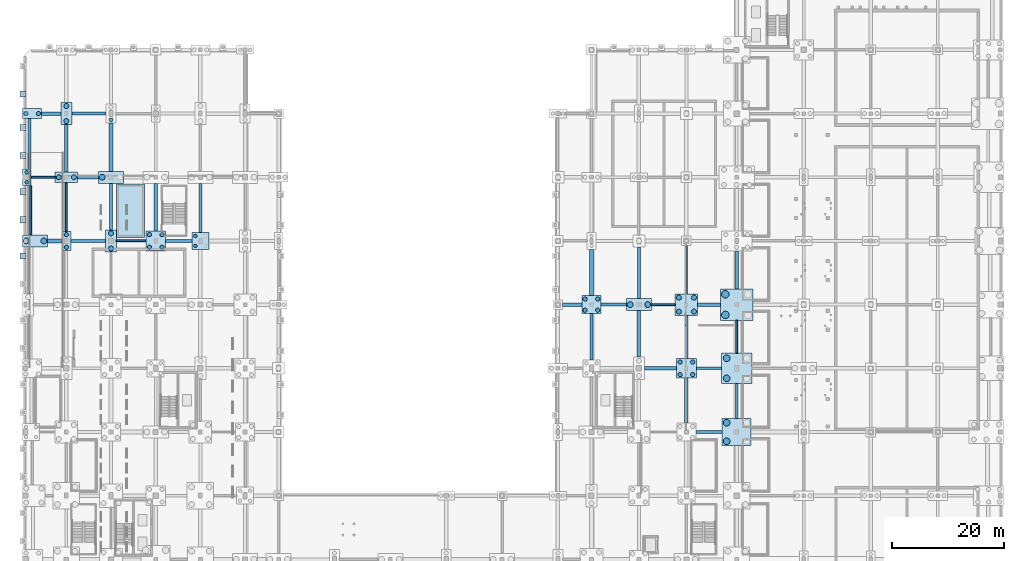
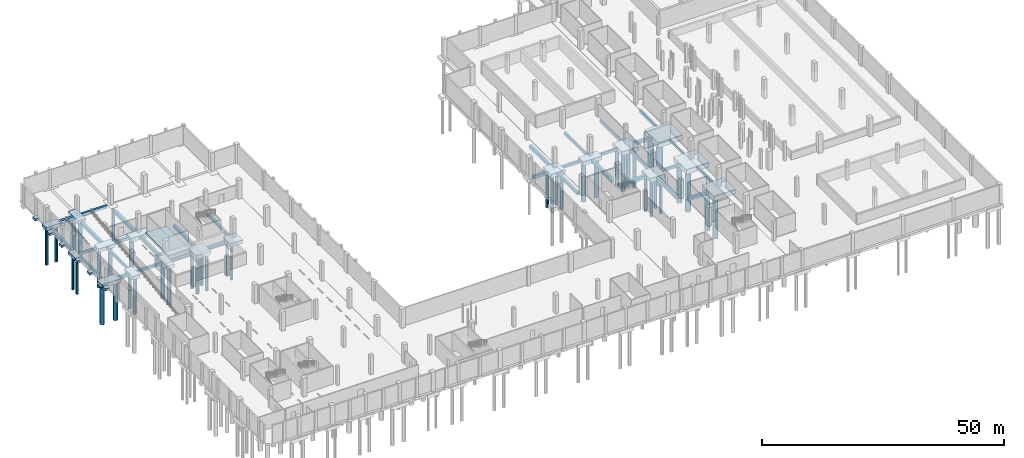
# One storey, part 5 of 34: 57 footings, 42 piles.
"""IFC4 building model written with IfcOpenShell, lengths in metres."""

from ifc_helpers import new_model, si_unit, direction, frame, origin, origin_2d, place, context, subcontext, project, spatial, rectangle, circle, extrude, material, material_profile, profile_set, type_object, element, save


model = new_model("IFC4")

# Units and contexts
model_context = context("Model", 3, precision=1e-05, world=origin(), true_north=direction((0.0, 1.0)))
body_context = subcontext(model_context, "Body", "Model", "MODEL_VIEW")
ifc_project = project(units=[si_unit("LENGTHUNIT", "METRE"), si_unit("AREAUNIT", "SQUARE_METRE"), si_unit("VOLUMEUNIT", "CUBIC_METRE"), si_unit("PLANEANGLEUNIT", "RADIAN"), si_unit("MASSUNIT", "GRAM", prefix="KILO"), si_unit("POWERUNIT", "WATT"), si_unit("THERMODYNAMICTEMPERATUREUNIT", "KELVIN")], contexts=[model_context])

# Site, building, storey
site_placement = place(None, origin())
site = spatial("IfcSite", under=ifc_project, at=site_placement, CompositionType="ELEMENT")
building_placement = place(site_placement, origin())
building = spatial("IfcBuilding", under=site, at=building_placement, Name="Kelmbourne Parkland Aquatics Centre", CompositionType="ELEMENT")
storey_placement = place(building_placement, frame((0.0, 0.0, -4.800048828125)))
storey = spatial("IfcBuildingStorey", under=building, at=storey_placement, Name="B1", CompositionType="ELEMENT", Elevation=-4.800048828125)

# Footings
ifc_material = material(Name="Waterproof concrete C50/60", Category="concrete")
footing_type_1 = type_object("IfcFootingType", Name="FT-FB1", PredefinedType="FOOTING_BEAM", material=ifc_material)
for number, where, z_axis, x_axis, name in (
    (1, (123.03759765625, 46.39990234375, -1.099853515625), (0.0, 0.0, 1.0), (1.0, 0.0, 0.0), "Ground tie beam O-P on Grid 06"),
    (2, (105.987548828125, 57.800048828125, -1.099853515625), (0.0, 0.0, 1.0), (1.0, 0.0, 0.0), "Ground tie beam M-N on Grid 08"),
):
    element("IfcFooting", number, at=place(storey_placement, frame(where, z_axis=z_axis, x_axis=x_axis)), inside=storey, type_object=footing_type_1, Name=name, PredefinedType="FOOTING_BEAM", context=body_context, shape_type="SweptSolid", body=[
        extrude(rectangle(XDim=4.52490234375, YDim=0.5, at=origin_2d()), origin(), (0.0, 0.0, 1.0), 0.64990234375),
    ])
for number, where, z_axis, x_axis, name in (
    (3, (11.949951171875, 69.199951171875, -1.099853515625), (0.0, 0.0, 1.0), (1.0, 0.0, 0.0), "Ground tie beam B-C on Grid 10"),
    (4, (12.050048828125, 92.0, -0.64990234375), (0.0, 0.0, 1.0), (1.0, 0.0, 0.0), "Ground tie beam B-C on Grid 12"),
):
    element("IfcFooting", number, at=place(storey_placement, frame(where, z_axis=z_axis, x_axis=x_axis)), inside=storey, type_object=footing_type_1, Name=name, PredefinedType="FOOTING_BEAM", context=body_context, shape_type="SweptSolid", body=[
        extrude(rectangle(XDim=6.14990234375, YDim=0.5, at=origin_2d()), origin(), (0.0, 0.0, 1.0), 0.64990234375),
    ])
footing_1_placement = place(storey_placement, frame((32.0, 75.125, -1.099853515625), z_axis=(0.0, 0.0, 1.0), x_axis=(0.0, 1.0, 0.0)))
element("IfcFooting", 5, at=footing_1_placement, inside=storey, type_object=footing_type_1, Name="Ground tie beam 10-11 on Grid E", PredefinedType="FOOTING_BEAM", context=body_context, shape_type="SweptSolid", body=[
    extrude(rectangle(XDim=8.800048828125, YDim=0.5, at=origin_2d()), origin(), (0.0, 0.0, 1.0), 0.64990234375),
])
footing_2_placement = place(storey_placement, frame((110.5, 63.512451171875, -1.099853515625), z_axis=(0.0, 0.0, 1.0), x_axis=(0.0, 1.0, 0.0)))
element("IfcFooting", 6, at=footing_2_placement, inside=storey, type_object=footing_type_1, Name="Ground tie beam 08-10 on Grid N", PredefinedType="FOOTING_BEAM", context=body_context, shape_type="SweptSolid", body=[
    extrude(rectangle(XDim=9.27490234375, YDim=0.5, at=origin_2d()), origin(), (0.0, 0.0, 1.0), 0.64990234375),
])
footing_3_placement = place(storey_placement, frame((119.0, 52.02490234375, -1.099853515625), z_axis=(0.0, 0.0, 1.0), x_axis=(0.0, 1.0, 0.0)))
element("IfcFooting", 7, at=footing_3_placement, inside=storey, type_object=footing_type_1, Name="Ground tie beam 06-08 on Grid O", PredefinedType="FOOTING_BEAM", context=body_context, shape_type="SweptSolid", body=[
    extrude(rectangle(XDim=7.699951171875, YDim=0.5, at=origin_2d()), origin(), (0.0, 0.0, 1.0), 0.64990234375),
])
footing_4_placement = place(storey_placement, frame((128.0, 40.574951171875, -1.099853515625), z_axis=(0.0, 0.0, 1.0), x_axis=(0.0, 1.0, 0.0)))
element("IfcFooting", 8, at=footing_4_placement, inside=storey, type_object=footing_type_1, Name="Ground tie beam 05-06 on Grid P", PredefinedType="FOOTING_BEAM", context=body_context, shape_type="SweptSolid", body=[
    extrude(rectangle(XDim=6.25, YDim=0.5, at=origin_2d()), origin(), (0.0, 0.0, 1.0), 0.64990234375),
])
footing_type_2 = type_object("IfcFootingType", Name="FT-FB2", PredefinedType="FOOTING_BEAM", material=ifc_material)
footing_5_placement = place(storey_placement, frame((114.862548828125, 57.800048828125, -1.14990234375), z_axis=(0.0, 0.0, 1.0), x_axis=(1.0, 0.0, 0.0)))
element("IfcFooting", 9, at=footing_5_placement, inside=storey, type_object=footing_type_2, Name="Ground tie beam N-O on Grid 08", PredefinedType="FOOTING_BEAM", context=body_context, shape_type="SweptSolid", body=[
    extrude(rectangle(XDim=4.22509765625, YDim=0.35009765625, at=origin_2d()), origin(), (0.0, 0.0, 1.0), 0.699951171875),
])
footing_6_placement = place(storey_placement, frame((19.60009765625, 69.199951171875, -1.14990234375), z_axis=(0.0, 0.0, 1.0), x_axis=(1.0, 0.0, 0.0)))
element("IfcFooting", 10, at=footing_6_placement, inside=storey, type_object=footing_type_2, Name="Ground tie beam C-D on Grid 10", PredefinedType="FOOTING_BEAM", context=body_context, shape_type="SweptSolid", body=[
    extrude(rectangle(XDim=5.25, YDim=0.35009765625, at=origin_2d()), origin(), (0.0, 0.0, 1.0), 0.699951171875),
])
footing_7_placement = place(storey_placement, frame((3.85009765625, 80.60009765625, -1.14990234375), z_axis=(0.0, 0.0, 1.0), x_axis=(1.0, 0.0, 0.0)))
element("IfcFooting", 11, at=footing_7_placement, inside=storey, type_object=footing_type_2, Name="Ground tie beam A-B on Grid 11", PredefinedType="FOOTING_BEAM", context=body_context, shape_type="SweptSolid", body=[
    extrude(rectangle(XDim=4.300048828125, YDim=0.35009765625, at=origin_2d()), origin(), (0.0, 0.0, 1.0), 0.699951171875),
])
footing_8_placement = place(storey_placement, frame((1.66259765625, 74.6875, -1.14990234375), z_axis=(0.0, 0.0, 1.0), x_axis=(0.0, 1.0, 0.0)))
element("IfcFooting", 12, at=footing_8_placement, inside=storey, type_object=footing_type_2, Name="Ground tie beam 10-11 on Grid A", PredefinedType="FOOTING_BEAM", context=body_context, shape_type="SweptSolid", body=[
    extrude(rectangle(XDim=8.824951171875, YDim=0.35009765625, at=origin_2d()), origin(), (0.0, 0.0, 1.0), 0.699951171875),
])
footing_9_placement = place(storey_placement, frame((8.0, 75.27490234375, -1.14990234375), z_axis=(0.0, 0.0, 1.0), x_axis=(0.0, 1.0, 0.0)))
element("IfcFooting", 13, at=footing_9_placement, inside=storey, type_object=footing_type_2, Name="Ground tie beam 10-11 on Grid B", PredefinedType="FOOTING_BEAM", context=body_context, shape_type="SweptSolid", body=[
    extrude(rectangle(XDim=8.699951171875, YDim=0.35009765625, at=origin_2d()), origin(), (0.0, 0.0, 1.0), 0.699951171875),
])
footing_10_placement = place(storey_placement, frame((119.0, 64.03759765625, -1.14990234375), z_axis=(0.0, 0.0, 1.0), x_axis=(0.0, 1.0, 0.0)))
element("IfcFooting", 14, at=footing_10_placement, inside=storey, type_object=footing_type_2, Name="Ground tie beam 08-10 on Grid O", PredefinedType="FOOTING_BEAM", context=body_context, shape_type="SweptSolid", body=[
    extrude(rectangle(XDim=8.625, YDim=0.35009765625, at=origin_2d()), origin(), (0.0, 0.0, 1.0), 0.699951171875),
])
footing_11_placement = place(storey_placement, frame((128.0, 52.03759765625, -1.14990234375), z_axis=(0.0, 0.0, 1.0), x_axis=(0.0, 1.0, 0.0)))
element("IfcFooting", 15, at=footing_11_placement, inside=storey, type_object=footing_type_2, Name="Ground tie beam 06-08 on Grid P", PredefinedType="FOOTING_BEAM", context=body_context, shape_type="SweptSolid", body=[
    extrude(rectangle(XDim=5.875, YDim=0.35009765625, at=origin_2d()), origin(), (0.0, 0.0, 1.0), 0.699951171875),
])
footing_type_3 = type_object("IfcFootingType", Name="FT-FB3", PredefinedType="FOOTING_BEAM", material=ifc_material)
footing_12_placement = place(storey_placement, frame((123.0625, 35.0, -1.199951171875), z_axis=(0.0, 0.0, 1.0), x_axis=(1.0, 0.0, 0.0)))
element("IfcFooting", 16, at=footing_12_placement, inside=storey, type_object=footing_type_3, Name="Ground tie beam O-P on Grid 05", PredefinedType="FOOTING_BEAM", context=body_context, shape_type="SweptSolid", body=[
    extrude(rectangle(XDim=4.675048828125, YDim=0.60009765625, at=origin_2d()), origin(), (0.0, 0.0, 1.0), 0.75),
])
footing_13_placement = place(storey_placement, frame((123.050048828125, 57.800048828125, -1.199951171875), z_axis=(0.0, 0.0, 1.0), x_axis=(1.0, 0.0, 0.0)))
element("IfcFooting", 17, at=footing_13_placement, inside=storey, type_object=footing_type_3, Name="Ground tie beam O-P on Grid 08", PredefinedType="FOOTING_BEAM", context=body_context, shape_type="SweptSolid", body=[
    extrude(rectangle(XDim=4.050048828125, YDim=0.60009765625, at=origin_2d()), origin(), (0.0, 0.0, 1.0), 0.75),
])
footing_14_placement = place(storey_placement, frame((28.125, 69.199951171875, -1.199951171875), z_axis=(0.0, 0.0, 1.0), x_axis=(1.0, 0.0, 0.0)))
element("IfcFooting", 18, at=footing_14_placement, inside=storey, type_object=footing_type_3, Name="Ground tie beam D-E on Grid 10", PredefinedType="FOOTING_BEAM", context=body_context, shape_type="SweptSolid", body=[
    extrude(rectangle(XDim=4.699951171875, YDim=0.60009765625, at=origin_2d()), origin(), (0.0, 0.0, 1.0), 0.75),
])
footing_15_placement = place(storey_placement, frame((11.875, 80.60009765625, -1.199951171875), z_axis=(0.0, 0.0, 1.0), x_axis=(1.0, 0.0, 0.0)))
element("IfcFooting", 19, at=footing_15_placement, inside=storey, type_object=footing_type_3, Name="Ground tie beam B-C on Grid 11", PredefinedType="FOOTING_BEAM", context=body_context, shape_type="SweptSolid", body=[
    extrude(rectangle(XDim=3.75, YDim=0.60009765625, at=origin_2d()), origin(), (0.0, 0.0, 1.0), 0.75),
])
footing_16_placement = place(storey_placement, frame((1.39990234375, 86.612548828125, -1.199951171875), z_axis=(0.0, 0.0, 1.0), x_axis=(0.0, 1.0, 0.0)))
element("IfcFooting", 20, at=footing_16_placement, inside=storey, type_object=footing_type_3, Name="Ground tie beam 11-12 on Grid A", PredefinedType="FOOTING_BEAM", context=body_context, shape_type="SweptSolid", body=[
    extrude(rectangle(XDim=9.02490234375, YDim=0.60009765625, at=origin_2d()), origin(), (0.0, 0.0, 1.0), 0.75),
])
footing_17_placement = place(storey_placement, frame((8.0, 85.78759765625, -1.199951171875), z_axis=(0.0, 0.0, 1.0), x_axis=(0.0, 1.0, 0.0)))
element("IfcFooting", 21, at=footing_17_placement, inside=storey, type_object=footing_type_3, Name="Ground tie beam 11-12 on Grid B", PredefinedType="FOOTING_BEAM", context=body_context, shape_type="SweptSolid", body=[
    extrude(rectangle(XDim=8.425048828125, YDim=0.60009765625, at=origin_2d()), origin(), (0.0, 0.0, 1.0), 0.75),
])
footing_18_placement = place(storey_placement, frame((16.0, 75.362548828125, -1.199951171875), z_axis=(0.0, 0.0, 1.0), x_axis=(0.0, 1.0, 0.0)))
element("IfcFooting", 22, at=footing_18_placement, inside=storey, type_object=footing_type_3, Name="Ground tie beam 10-11 on Grid C", PredefinedType="FOOTING_BEAM", context=body_context, shape_type="SweptSolid", body=[
    extrude(rectangle(XDim=8.324951171875, YDim=0.60009765625, at=origin_2d()), origin(), (0.0, 0.0, 1.0), 0.75),
])
footing_19_placement = place(storey_placement, frame((102.0, 52.050048828125, -1.199951171875), z_axis=(0.0, 0.0, 1.0), x_axis=(0.0, 1.0, 0.0)))
element("IfcFooting", 23, at=footing_19_placement, inside=storey, type_object=footing_type_3, Name="Ground tie beam 06-08 on Grid M", PredefinedType="FOOTING_BEAM", context=body_context, shape_type="SweptSolid", body=[
    extrude(rectangle(XDim=8.25, YDim=0.60009765625, at=origin_2d()), origin(), (0.0, 0.0, 1.0), 0.75),
])
footing_20_placement = place(storey_placement, frame((128.0, 64.02490234375, -1.199951171875), z_axis=(0.0, 0.0, 1.0), x_axis=(0.0, 1.0, 0.0)))
element("IfcFooting", 24, at=footing_20_placement, inside=storey, type_object=footing_type_3, Name="Ground tie beam 08-10 on Grid P", PredefinedType="FOOTING_BEAM", context=body_context, shape_type="SweptSolid", body=[
    extrude(rectangle(XDim=6.800048828125, YDim=0.60009765625, at=origin_2d()), origin(), (0.0, 0.0, 1.0), 0.75),
])
footing_type_4 = type_object("IfcFootingType", Name="FT-FB4", PredefinedType="FOOTING_BEAM", material=ifc_material)
footing_21_placement = place(storey_placement, frame((114.35009765625, 46.39990234375, -1.25), z_axis=(0.0, 0.0, 1.0), x_axis=(1.0, 0.0, 0.0)))
element("IfcFooting", 25, at=footing_21_placement, inside=storey, type_object=footing_type_4, Name="Ground tie beam N-O on Grid 06", PredefinedType="FOOTING_BEAM", context=body_context, shape_type="SweptSolid", body=[
    extrude(rectangle(XDim=5.75, YDim=0.64990234375, at=origin_2d()), origin(), (0.0, 0.0, 1.0), 0.800048828125),
])
footing_22_placement = place(storey_placement, frame((98.5625, 57.800048828125, -1.25), z_axis=(0.0, 0.0, 1.0), x_axis=(1.0, 0.0, 0.0)))
element("IfcFooting", 26, at=footing_22_placement, inside=storey, type_object=footing_type_4, Name="Ground tie beam L-M on Grid 08", PredefinedType="FOOTING_BEAM", context=body_context, shape_type="SweptSolid", body=[
    extrude(rectangle(XDim=3.425048828125, YDim=0.64990234375, at=origin_2d()), origin(), (0.0, 0.0, 1.0), 0.800048828125),
])
footing_23_placement = place(storey_placement, frame((5.887451171875, 69.199951171875, -1.25), z_axis=(0.0, 0.0, 1.0), x_axis=(1.0, 0.0, 0.0)))
element("IfcFooting", 27, at=footing_23_placement, inside=storey, type_object=footing_type_4, Name="Ground tie beam A-B on Grid 10", PredefinedType="FOOTING_BEAM", context=body_context, shape_type="SweptSolid", body=[
    extrude(rectangle(XDim=2.47509765625, YDim=0.64990234375, at=origin_2d()), origin(), (0.0, 0.0, 1.0), 0.800048828125),
])
footing_24_placement = place(storey_placement, frame((5.3125, 92.0, -0.7998046875), z_axis=(0.0, 0.0, 1.0), x_axis=(1.0, 0.0, 0.0)))
element("IfcFooting", 28, at=footing_24_placement, inside=storey, type_object=footing_type_4, Name="Ground tie beam A-B on Grid 12", PredefinedType="FOOTING_BEAM", context=body_context, shape_type="SweptSolid", body=[
    extrude(rectangle(XDim=3.425048828125, YDim=0.64990234375, at=origin_2d()), origin(), (0.0, 0.0, 1.0), 0.800048828125),
])
footing_25_placement = place(storey_placement, frame((16.0, 85.97509765625, -1.25), z_axis=(0.0, 0.0, 1.0), x_axis=(0.0, 1.0, 0.0)))
element("IfcFooting", 29, at=footing_25_placement, inside=storey, type_object=footing_type_4, Name="Ground tie beam 11-12 on Grid C", PredefinedType="FOOTING_BEAM", context=body_context, shape_type="SweptSolid", body=[
    extrude(rectangle(XDim=8.60009765625, YDim=0.64990234375, at=origin_2d()), origin(), (0.0, 0.0, 1.0), 0.800048828125),
])
footing_26_placement = place(storey_placement, frame((24.0, 75.25, -1.25), z_axis=(0.0, 0.0, 1.0), x_axis=(0.0, 1.0, 0.0)))
element("IfcFooting", 30, at=footing_26_placement, inside=storey, type_object=footing_type_4, Name="Ground tie beam 10-11 on Grid D", PredefinedType="FOOTING_BEAM", context=body_context, shape_type="SweptSolid", body=[
    extrude(rectangle(XDim=8.550048828125, YDim=0.64990234375, at=origin_2d()), origin(), (0.0, 0.0, 1.0), 0.800048828125),
])
footing_27_placement = place(storey_placement, frame((102.0, 63.5625, -1.25), z_axis=(0.0, 0.0, 1.0), x_axis=(0.0, 1.0, 0.0)))
element("IfcFooting", 31, at=footing_27_placement, inside=storey, type_object=footing_type_4, Name="Ground tie beam 08-10 on Grid M", PredefinedType="FOOTING_BEAM", context=body_context, shape_type="SweptSolid", body=[
    extrude(rectangle(XDim=8.27490234375, YDim=0.64990234375, at=origin_2d()), origin(), (0.0, 0.0, 1.0), 0.800048828125),
])
footing_28_placement = place(storey_placement, frame((110.5, 52.5625, -1.25), z_axis=(0.0, 0.0, 1.0), x_axis=(0.0, 1.0, 0.0)))
element("IfcFooting", 32, at=footing_28_placement, inside=storey, type_object=footing_type_4, Name="Ground tie beam 06-08 on Grid N", PredefinedType="FOOTING_BEAM", context=body_context, shape_type="SweptSolid", body=[
    extrude(rectangle(XDim=8.324951171875, YDim=0.64990234375, at=origin_2d()), origin(), (0.0, 0.0, 1.0), 0.800048828125),
])
footing_29_placement = place(storey_placement, frame((119.0, 40.625, -1.25), z_axis=(0.0, 0.0, 1.0), x_axis=(0.0, 1.0, 0.0)))
element("IfcFooting", 33, at=footing_29_placement, inside=storey, type_object=footing_type_4, Name="Ground tie beam 05-06 on Grid O", PredefinedType="FOOTING_BEAM", context=body_context, shape_type="SweptSolid", body=[
    extrude(rectangle(XDim=8.0, YDim=0.64990234375, at=origin_2d()), origin(), (0.0, 0.0, 1.0), 0.800048828125),
])
footing_type_5 = type_object("IfcFootingType", Name="FT-PC05", PredefinedType="PILE_CAP", material=ifc_material)
footing_30_placement = place(storey_placement, frame((0.925048828125, 80.60009765625, -1.25), z_axis=(0.0, 0.0, 1.0), x_axis=(1.0, 0.0, 0.0)))
element("IfcFooting", 34, at=footing_30_placement, inside=storey, type_object=footing_type_5, Name="Bored pile cap PC-A-11", PredefinedType="PILE_CAP", context=body_context, shape_type="SweptSolid", body=[
    extrude(rectangle(XDim=1.550048828125, YDim=3.0, at=origin_2d()), origin(), (0.0, 0.0, 1.0), 0.800048828125),
])
footing_type_6 = type_object("IfcFootingType", Name="FT-PC06", PredefinedType="PILE_CAP", material=ifc_material)
footing_31_placement = place(storey_placement, frame((1.875, 92.0, -0.85009765625), z_axis=(0.0, 0.0, 1.0), x_axis=(1.0, 0.0, 0.0)))
element("IfcFooting", 35, at=footing_31_placement, inside=storey, type_object=footing_type_6, Name="Bored pile cap PC-A-12", PredefinedType="PILE_CAP", context=body_context, shape_type="SweptSolid", body=[
    extrude(rectangle(XDim=3.449951171875, YDim=1.75, at=origin_2d()), origin(), (0.0, 0.0, 1.0), 0.85009765625),
])
footing_type_7 = type_object("IfcFootingType", Name="FT-PC07", PredefinedType="PILE_CAP", material=ifc_material)
footing_32_placement = place(storey_placement, frame((8.0, 69.199951171875, -1.300048828125), z_axis=(0.0, 0.0, 1.0), x_axis=(1.0, 0.0, 0.0)))
element("IfcFooting", 36, at=footing_32_placement, inside=storey, type_object=footing_type_7, Name="Bored pile cap PC-B-10", PredefinedType="PILE_CAP", context=body_context, shape_type="SweptSolid", body=[
    extrude(rectangle(XDim=1.75, YDim=3.449951171875, at=origin_2d()), origin(), (0.0, 0.0, 1.0), 0.85009765625),
])
footing_type_8 = type_object("IfcFootingType", Name="FT-PC08", PredefinedType="PILE_CAP", material=ifc_material)
footing_33_placement = place(storey_placement, frame((8.0, 80.60009765625, -1.349853515625), z_axis=(0.0, 0.0, 1.0), x_axis=(1.0, 0.0, 0.0)))
element("IfcFooting", 37, at=footing_33_placement, inside=storey, type_object=footing_type_8, Name="Bored pile cap PC-B-11", PredefinedType="PILE_CAP", context=body_context, shape_type="SweptSolid", body=[
    extrude(rectangle(XDim=4.0, YDim=1.949951171875, at=origin_2d()), origin(), (0.0, 0.0, 1.0), 0.89990234375),
])
footing_type_9 = type_object("IfcFootingType", Name="FT-PC09", PredefinedType="PILE_CAP", material=ifc_material)
for number, where, z_axis, x_axis, name in (
    (38, (8.0, 92.0, -0.89990234375), (0.0, 0.0, 1.0), (1.0, 0.0, 0.0), "Bored pile cap PC-B-12"),
    (39, (16.0, 69.199951171875, -1.349853515625), (0.0, 0.0, 1.0), (1.0, 0.0, 0.0), "Bored pile cap PC-C-10"),
):
    element("IfcFooting", number, at=place(storey_placement, frame(where, z_axis=z_axis, x_axis=x_axis)), inside=storey, type_object=footing_type_9, Name=name, PredefinedType="PILE_CAP", context=body_context, shape_type="SweptSolid", body=[
        extrude(rectangle(XDim=1.949951171875, YDim=4.0, at=origin_2d()), origin(), (0.0, 0.0, 1.0), 0.89990234375),
    ])
footing_type_10 = type_object("IfcFootingType", Name="FT-PC10", PredefinedType="PILE_CAP", material=ifc_material)
for number, where, z_axis, x_axis, name in (
    (40, (2.39990234375, 69.199951171875, -1.39990234375), (0.0, 0.0, 1.0), (1.0, 0.0, 0.0), "Bored pile cap PC-A-10"),
    (41, (16.0, 80.60009765625, -1.39990234375), (0.0, 0.0, 1.0), (1.0, 0.0, 0.0), "Bored pile cap PC-C-11"),
    (42, (110.5, 57.800048828125, -1.39990234375), (0.0, 0.0, 1.0), (1.0, 0.0, 0.0), "Bored pile cap PC-N-08"),
):
    element("IfcFooting", number, at=place(storey_placement, frame(where, z_axis=z_axis, x_axis=x_axis)), inside=storey, type_object=footing_type_10, Name=name, PredefinedType="PILE_CAP", context=body_context, shape_type="SweptSolid", body=[
        extrude(rectangle(XDim=4.5, YDim=2.14990234375, at=origin_2d()), origin(), (0.0, 0.0, 1.0), 0.949951171875),
    ])
footing_type_11 = type_object("IfcFootingType", Name="FT-PC11", PredefinedType="PILE_CAP", material=ifc_material)
footing_34_placement = place(storey_placement, frame((32.0, 69.199951171875, -1.300048828125), z_axis=(0.0, 0.0, 1.0), x_axis=(1.0, 0.0, 0.0)))
element("IfcFooting", 43, at=footing_34_placement, inside=storey, type_object=footing_type_11, Name="Bored pile cap PC-E-10", PredefinedType="PILE_CAP", context=body_context, shape_type="SweptSolid", body=[
    extrude(rectangle(XDim=3.050048828125, YDim=3.050048828125, at=origin_2d()), origin(), (0.0, 0.0, 1.0), 0.85009765625),
])
footing_type_12 = type_object("IfcFootingType", Name="FT-PC12", PredefinedType="PILE_CAP", material=ifc_material)
footing_35_placement = place(storey_placement, frame((102.0, 57.800048828125, -1.349853515625), z_axis=(0.0, 0.0, 1.0), x_axis=(1.0, 0.0, 0.0)))
element("IfcFooting", 44, at=footing_35_placement, inside=storey, type_object=footing_type_12, Name="Bored pile cap PC-M-08", PredefinedType="PILE_CAP", context=body_context, shape_type="SweptSolid", body=[
    extrude(rectangle(XDim=3.449951171875, YDim=3.25, at=origin_2d()), origin(), (0.0, 0.0, 1.0), 0.89990234375),
])
footing_type_13 = type_object("IfcFootingType", Name="FT-PC13", PredefinedType="PILE_CAP", material=ifc_material)
for number, where, z_axis, x_axis, name in (
    (45, (24.0, 69.199951171875, -1.39990234375), (0.0, 0.0, 1.0), (1.0, 0.0, 0.0), "Bored pile cap PC-D-10"),
    (46, (119.0, 46.39990234375, -1.39990234375), (0.0, 0.0, 1.0), (1.0, 0.0, 0.0), "Bored pile cap PC-O-06"),
):
    element("IfcFooting", number, at=place(storey_placement, frame(where, z_axis=z_axis, x_axis=x_axis)), inside=storey, type_object=footing_type_13, Name=name, PredefinedType="PILE_CAP", context=body_context, shape_type="SweptSolid", body=[
        extrude(rectangle(XDim=3.550048828125, YDim=3.550048828125, at=origin_2d()), origin(), (0.0, 0.0, 1.0), 0.949951171875),
    ])
footing_type_14 = type_object("IfcFootingType", Name="FT-PC14", PredefinedType="PILE_CAP", material=ifc_material)
footing_36_placement = place(storey_placement, frame((119.0, 57.800048828125, -1.449951171875), z_axis=(0.0, 0.0, 1.0), x_axis=(1.0, 0.0, 0.0)))
element("IfcFooting", 47, at=footing_36_placement, inside=storey, type_object=footing_type_14, Name="Bored pile cap PC-O-08", PredefinedType="PILE_CAP", context=body_context, shape_type="SweptSolid", body=[
    extrude(rectangle(XDim=4.050048828125, YDim=3.85009765625, at=origin_2d()), origin(), (0.0, 0.0, 1.0), 1.0),
])
footing_type_15 = type_object("IfcFootingType", Name="FT-PC18", PredefinedType="PILE_CAP", material=ifc_material)
footing_37_placement = place(storey_placement, frame((128.0, 35.0, -1.64990234375), z_axis=(0.0, 0.0, 1.0), x_axis=(1.0, 0.0, 0.0)))
element("IfcFooting", 48, at=footing_37_placement, inside=storey, type_object=footing_type_15, Name="Bored pile cap PC-P-05", PredefinedType="PILE_CAP", context=body_context, shape_type="SweptSolid", body=[
    extrude(rectangle(XDim=5.199951171875, YDim=4.89990234375, at=origin_2d()), origin(), (0.0, 0.0, 1.0), 1.199951171875),
])
footing_type_16 = type_object("IfcFootingType", Name="FT-PC19", PredefinedType="PILE_CAP", material=ifc_material)
footing_38_placement = place(storey_placement, frame((128.0, 46.39990234375, -1.699951171875), z_axis=(0.0, 0.0, 1.0), x_axis=(1.0, 0.0, 0.0)))
element("IfcFooting", 49, at=footing_38_placement, inside=storey, type_object=footing_type_16, Name="Bored pile cap PC-P-06", PredefinedType="PILE_CAP", context=body_context, shape_type="SweptSolid", body=[
    extrude(rectangle(XDim=5.39990234375, YDim=5.39990234375, at=origin_2d()), origin(), (0.0, 0.0, 1.0), 1.25),
])
footing_type_17 = type_object("IfcFootingType", Name="FT-PC20", PredefinedType="PILE_CAP", material=ifc_material)
footing_39_placement = place(storey_placement, frame((128.0, 57.800048828125, -1.75), z_axis=(0.0, 0.0, 1.0), x_axis=(1.0, 0.0, 0.0)))
element("IfcFooting", 50, at=footing_39_placement, inside=storey, type_object=footing_type_17, Name="Bored pile cap PC-P-08", PredefinedType="PILE_CAP", context=body_context, shape_type="SweptSolid", body=[
    extrude(rectangle(XDim=5.85009765625, YDim=5.64990234375, at=origin_2d()), origin(), (0.0, 0.0, 1.0), 1.300048828125),
])
footing_type_18 = type_object("IfcFootingType", Name="FT-SF1", PredefinedType="STRIP_FOOTING", material=ifc_material)
for number, where, z_axis, x_axis, name in (
    (51, (0.260009765625, 66.5, -0.5498046875), (0.0, 0.0, 1.0), (1.0, 0.0, 0.0), "Brick buttress footing W-012"),
    (52, (0.260009765625, 73.0, -0.5498046875), (0.0, 0.0, 1.0), (1.0, 0.0, 0.0), "Brick buttress footing W-013"),
    (53, (0.260009765625, 78.0, -0.5498046875), (0.0, 0.0, 1.0), (1.0, 0.0, 0.0), "Brick buttress footing W-014"),
    (54, (0.260009765625, 84.5, -0.5498046875), (0.0, 0.0, 1.0), (1.0, 0.0, 0.0), "Brick buttress footing W-015"),
    (55, (0.260009765625, 89.5, -0.5498046875), (0.0, 0.0, 1.0), (1.0, 0.0, 0.0), "Brick buttress footing W-016"),
    (56, (0.260009765625, 95.5, -0.5498046875), (0.0, 0.0, 1.0), (1.0, 0.0, 0.0), "Brick buttress footing W-017"),
):
    element("IfcFooting", number, at=place(storey_placement, frame(where, z_axis=z_axis, x_axis=x_axis)), inside=storey, type_object=footing_type_18, Name=name, PredefinedType="STRIP_FOOTING", context=body_context, shape_type="SweptSolid", body=[
        extrude(rectangle(XDim=1.10009765625, YDim=1.10009765625, at=origin_2d()), origin(), (0.0, 0.0, 1.0), 0.550048828125),
    ])
footing_40_placement = place(storey_placement, frame((19.5, 74.60009765625, -0.5), z_axis=(0.0, 0.0, 1.0), x_axis=(1.0, 0.0, 0.0)))
element("IfcFooting", 57, at=footing_40_placement, inside=storey, type_object=footing_type_18, Name="West Mid-Wing Exit Stair foundation pad", PredefinedType="STRIP_FOOTING", context=body_context, shape_type="SweptSolid", body=[
    extrude(rectangle(XDim=5.0, YDim=9.60009765625, at=origin_2d()), origin(), (0.0, 0.0, 1.0), 0.5),
])

# Piles
ifc_material_profile_1 = material_profile(ifc_material, circle(Radius=0.52490234375, at=origin_2d()), Name="PILE D1050")
ifc_profile_set_1 = profile_set([ifc_material_profile_1], Name="Waterproof concrete C50/60")
pile_type_1 = type_object("IfcPileType", Name="PL-1050", PredefinedType="BORED", material=ifc_profile_set_1)
for number, where, z_axis, x_axis, name in (
    (58, (0.824951171875, 69.199951171875, -1.300048828125), (0.0, 0.0, -1.0), (1.0, 0.0, 0.0), "Rock-socketed bored pile A-10-1"),
    (59, (3.97509765625, 69.199951171875, -1.300048828125), (0.0, 0.0, -1.0), (1.0, 0.0, 0.0), "Rock-socketed bored pile A-10-2"),
    (60, (14.425048828125, 80.60009765625, -1.300048828125), (0.0, 0.0, -1.0), (1.0, 0.0, 0.0), "Rock-socketed bored pile C-11-1"),
    (61, (108.925048828125, 57.800048828125, -1.300048828125), (0.0, 0.0, -1.0), (1.0, 0.0, 0.0), "Rock-socketed bored pile N-08-1"),
    (62, (112.074951171875, 57.800048828125, -1.300048828125), (0.0, 0.0, -1.0), (1.0, 0.0, 0.0), "Rock-socketed bored pile N-08-2"),
):
    element("IfcPile", number, at=place(storey_placement, frame(where, z_axis=z_axis, x_axis=x_axis)), inside=storey, type_object=pile_type_1, Name=name, PredefinedType="BORED", context=body_context, shape_type="SweptSolid", body=[
        extrude(circle(Radius=0.52490234375, at=origin_2d()), origin(), (0.0, 0.0, 1.0), 9.800048828125),
    ])
ifc_material_profile_2 = material_profile(ifc_material, circle(Radius=0.60009765625, at=origin_2d()), Name="PILE D1200")
ifc_profile_set_2 = profile_set([ifc_material_profile_2], Name="Waterproof concrete C50/60")
pile_type_2 = type_object("IfcPileType", Name="PL-1200", PredefinedType="BORED", material=ifc_profile_set_2)
for number, where, z_axis, x_axis, name in (
    (63, (126.199951171875, 33.35009765625, -1.550048828125), (0.0, 0.0, -1.0), (1.0, 0.0, 0.0), "Rock-socketed bored pile P-05-1"),
    (64, (126.199951171875, 36.64990234375, -1.550048828125), (0.0, 0.0, -1.0), (1.0, 0.0, 0.0), "Rock-socketed bored pile P-05-3"),
    (65, (126.199951171875, 44.60009765625, -1.599853515625), (0.0, 0.0, -1.0), (1.0, 0.0, 0.0), "Rock-socketed bored pile P-06-1"),
    (66, (126.199951171875, 48.199951171875, -1.599853515625), (0.0, 0.0, -1.0), (1.0, 0.0, 0.0), "Rock-socketed bored pile P-06-3"),
):
    element("IfcPile", number, at=place(storey_placement, frame(where, z_axis=z_axis, x_axis=x_axis)), inside=storey, type_object=pile_type_2, Name=name, PredefinedType="BORED", context=body_context, shape_type="SweptSolid", body=[
        extrude(circle(Radius=0.60009765625, at=origin_2d()), origin(), (0.0, 0.0, 1.0), 10.0),
    ])
ifc_material_profile_3 = material_profile(ifc_material, circle(Radius=0.675048828125, at=origin_2d()), Name="PILE D1350")
ifc_profile_set_3 = profile_set([ifc_material_profile_3], Name="Waterproof concrete C50/60")
pile_type_3 = type_object("IfcPileType", Name="PL-1350", PredefinedType="BORED", material=ifc_profile_set_3)
for number, where, z_axis, x_axis, name in (
    (67, (125.97509765625, 55.949951171875, -1.64990234375), (0.0, 0.0, -1.0), (1.0, 0.0, 0.0), "Rock-socketed bored pile P-08-1"),
    (68, (125.97509765625, 59.64990234375, -1.64990234375), (0.0, 0.0, -1.0), (1.0, 0.0, 0.0), "Rock-socketed bored pile P-08-3"),
):
    element("IfcPile", number, at=place(storey_placement, frame(where, z_axis=z_axis, x_axis=x_axis)), inside=storey, type_object=pile_type_3, Name=name, PredefinedType="BORED", context=body_context, shape_type="SweptSolid", body=[
        extrude(circle(Radius=0.675048828125, at=origin_2d()), origin(), (0.0, 0.0, 1.0), 10.199951171875),
    ])
ifc_material_profile_4 = material_profile(ifc_material, circle(Radius=0.300048828125, at=origin_2d()), Name="PILE D600")
ifc_profile_set_4 = profile_set([ifc_material_profile_4], Name="Waterproof concrete C50/60")
pile_type_4 = type_object("IfcPileType", Name="PL-600", PredefinedType="BORED", material=ifc_profile_set_4)
for number, where, z_axis, x_axis, name in (
    (69, (0.925048828125, 79.699951171875, -1.14990234375), (0.0, 0.0, -1.0), (1.0, 0.0, 0.0), "Rock-socketed bored pile A-11-1"),
    (70, (0.925048828125, 81.5, -1.14990234375), (0.0, 0.0, -1.0), (1.0, 0.0, 0.0), "Rock-socketed bored pile A-11-2"),
    (71, (31.10009765625, 68.300048828125, -1.199951171875), (0.0, 0.0, -1.0), (1.0, 0.0, 0.0), "Rock-socketed bored pile E-10-1"),
    (72, (31.10009765625, 70.10009765625, -1.199951171875), (0.0, 0.0, -1.0), (1.0, 0.0, 0.0), "Rock-socketed bored pile E-10-3"),
):
    element("IfcPile", number, at=place(storey_placement, frame(where, z_axis=z_axis, x_axis=x_axis)), inside=storey, type_object=pile_type_4, Name=name, PredefinedType="BORED", context=body_context, shape_type="SweptSolid", body=[
        extrude(circle(Radius=0.300048828125, at=origin_2d()), origin(), (0.0, 0.0, 1.0), 8.800048828125),
    ])
ifc_material_profile_5 = material_profile(ifc_material, circle(Radius=0.375, at=origin_2d()), Name="PILE D750")
ifc_profile_set_5 = profile_set([ifc_material_profile_5], Name="Waterproof concrete C50/60")
pile_type_5 = type_object("IfcPileType", Name="PL-750", PredefinedType="BORED", material=ifc_profile_set_5)
for number, where, z_axis, x_axis, name in (
    (73, (0.75, 92.0, -0.75), (0.0, 0.0, -1.0), (1.0, 0.0, 0.0), "Rock-socketed bored pile A-12-1"),
    (74, (3.0, 92.0, -0.75), (0.0, 0.0, -1.0), (1.0, 0.0, 0.0), "Rock-socketed bored pile A-12-2"),
    (75, (8.0, 68.074951171875, -1.199951171875), (0.0, 0.0, -1.0), (1.0, 0.0, 0.0), "Rock-socketed bored pile B-10-1"),
    (76, (8.0, 70.324951171875, -1.199951171875), (0.0, 0.0, -1.0), (1.0, 0.0, 0.0), "Rock-socketed bored pile B-10-2"),
    (77, (16.0, 90.875, -0.75), (0.0, 0.0, -1.0), (1.0, 0.0, 0.0), "Rock-socketed bored pile C-12-1"),
    (78, (22.875, 68.074951171875, -1.300048828125), (0.0, 0.0, -1.0), (1.0, 0.0, 0.0), "Rock-socketed bored pile D-10-1"),
    (79, (25.125, 68.074951171875, -1.300048828125), (0.0, 0.0, -1.0), (1.0, 0.0, 0.0), "Rock-socketed bored pile D-10-2"),
    (80, (22.875, 70.324951171875, -1.300048828125), (0.0, 0.0, -1.0), (1.0, 0.0, 0.0), "Rock-socketed bored pile D-10-3"),
    (81, (25.125, 70.324951171875, -1.300048828125), (0.0, 0.0, -1.0), (1.0, 0.0, 0.0), "Rock-socketed bored pile D-10-4"),
    (82, (100.875, 56.800048828125, -1.25), (0.0, 0.0, -1.0), (1.0, 0.0, 0.0), "Rock-socketed bored pile M-08-1"),
    (83, (103.125, 56.800048828125, -1.25), (0.0, 0.0, -1.0), (1.0, 0.0, 0.0), "Rock-socketed bored pile M-08-2"),
    (84, (100.875, 58.800048828125, -1.25), (0.0, 0.0, -1.0), (1.0, 0.0, 0.0), "Rock-socketed bored pile M-08-3"),
    (85, (103.125, 58.800048828125, -1.25), (0.0, 0.0, -1.0), (1.0, 0.0, 0.0), "Rock-socketed bored pile M-08-4"),
    (86, (117.875, 45.27490234375, -1.300048828125), (0.0, 0.0, -1.0), (1.0, 0.0, 0.0), "Rock-socketed bored pile O-06-1"),
    (87, (120.125, 45.27490234375, -1.300048828125), (0.0, 0.0, -1.0), (1.0, 0.0, 0.0), "Rock-socketed bored pile O-06-2"),
    (88, (117.875, 47.52490234375, -1.300048828125), (0.0, 0.0, -1.0), (1.0, 0.0, 0.0), "Rock-socketed bored pile O-06-3"),
    (89, (120.125, 47.52490234375, -1.300048828125), (0.0, 0.0, -1.0), (1.0, 0.0, 0.0), "Rock-socketed bored pile O-06-4"),
):
    element("IfcPile", number, at=place(storey_placement, frame(where, z_axis=z_axis, x_axis=x_axis)), inside=storey, type_object=pile_type_5, Name=name, PredefinedType="BORED", context=body_context, shape_type="SweptSolid", body=[
        extrude(circle(Radius=0.375, at=origin_2d()), origin(), (0.0, 0.0, 1.0), 9.199951171875),
    ])
ifc_material_profile_6 = material_profile(ifc_material, circle(Radius=0.449951171875, at=origin_2d()), Name="PILE D900")
ifc_profile_set_6 = profile_set([ifc_material_profile_6], Name="Waterproof concrete C50/60")
pile_type_6 = type_object("IfcPileType", Name="PL-900", PredefinedType="BORED", material=ifc_profile_set_6)
for number, where, z_axis, x_axis, name in (
    (90, (6.64990234375, 80.60009765625, -1.25), (0.0, 0.0, -1.0), (1.0, 0.0, 0.0), "Rock-socketed bored pile B-11-1"),
    (91, (9.35009765625, 80.60009765625, -1.25), (0.0, 0.0, -1.0), (1.0, 0.0, 0.0), "Rock-socketed bored pile B-11-2"),
    (92, (8.0, 90.64990234375, -0.800048828125), (0.0, 0.0, -1.0), (1.0, 0.0, 0.0), "Rock-socketed bored pile B-12-1"),
    (93, (8.0, 93.35009765625, -0.800048828125), (0.0, 0.0, -1.0), (1.0, 0.0, 0.0), "Rock-socketed bored pile B-12-2"),
    (94, (16.0, 67.85009765625, -1.25), (0.0, 0.0, -1.0), (1.0, 0.0, 0.0), "Rock-socketed bored pile C-10-1"),
    (95, (16.0, 70.550048828125, -1.25), (0.0, 0.0, -1.0), (1.0, 0.0, 0.0), "Rock-socketed bored pile C-10-2"),
    (96, (117.64990234375, 56.550048828125, -1.349853515625), (0.0, 0.0, -1.0), (1.0, 0.0, 0.0), "Rock-socketed bored pile O-08-1"),
    (97, (120.35009765625, 56.550048828125, -1.349853515625), (0.0, 0.0, -1.0), (1.0, 0.0, 0.0), "Rock-socketed bored pile O-08-2"),
    (98, (117.64990234375, 59.050048828125, -1.349853515625), (0.0, 0.0, -1.0), (1.0, 0.0, 0.0), "Rock-socketed bored pile O-08-3"),
    (99, (120.35009765625, 59.050048828125, -1.349853515625), (0.0, 0.0, -1.0), (1.0, 0.0, 0.0), "Rock-socketed bored pile O-08-4"),
):
    element("IfcPile", number, at=place(storey_placement, frame(where, z_axis=z_axis, x_axis=x_axis)), inside=storey, type_object=pile_type_6, Name=name, PredefinedType="BORED", context=body_context, shape_type="SweptSolid", body=[
        extrude(circle(Radius=0.449951171875, at=origin_2d()), origin(), (0.0, 0.0, 1.0), 9.5),
    ])

save(model, "model.ifc")
